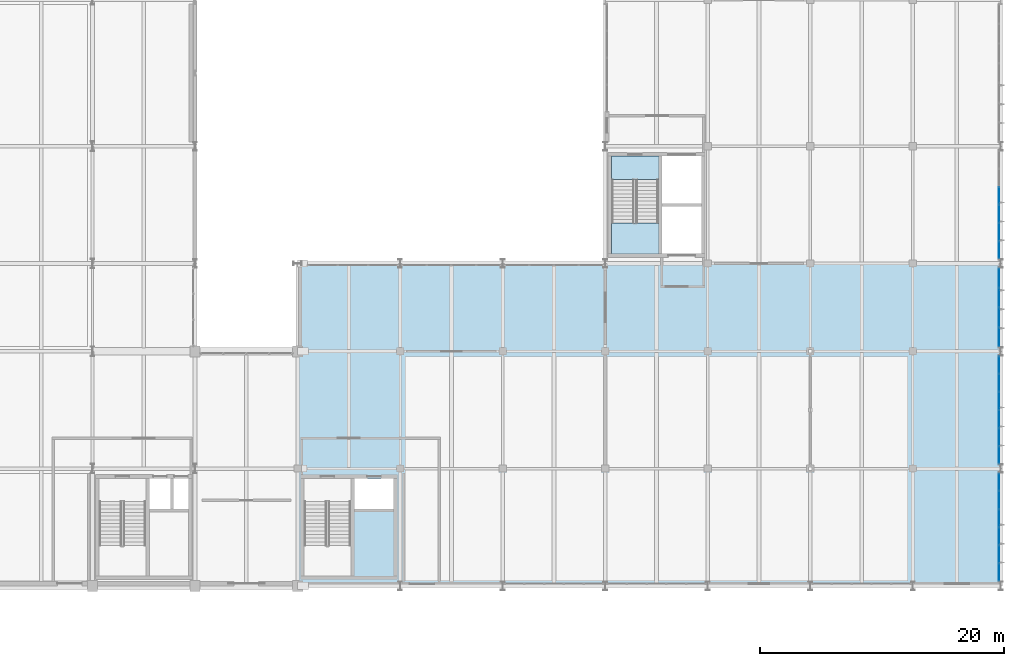
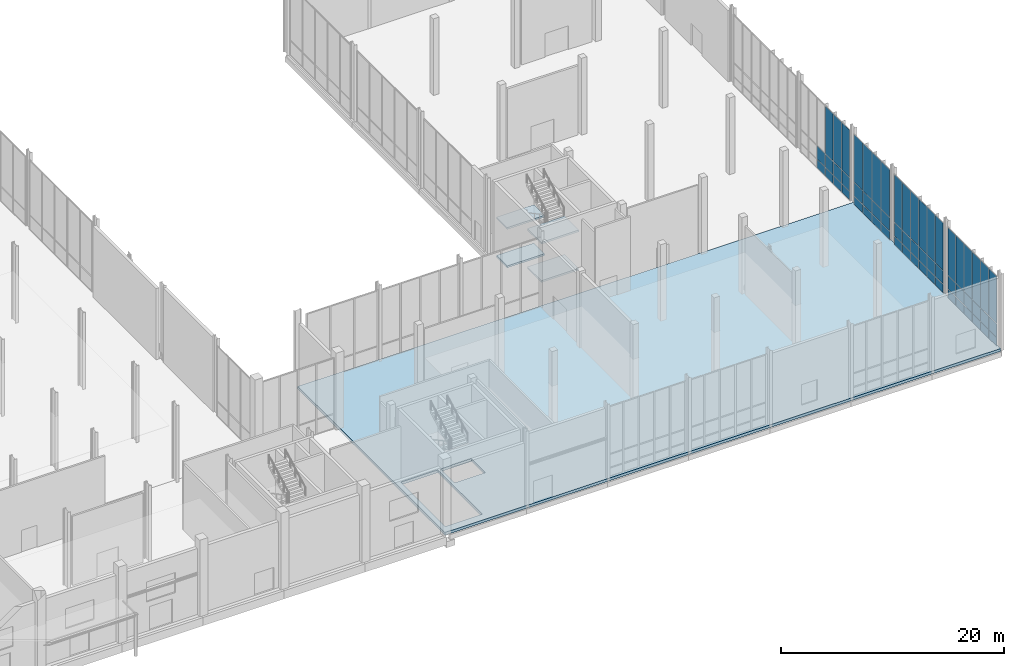
# One storey, part 107 of 131: 59 plates, 5 slabs, 5 elements without a shape of their own.
"""IFC4 building model written with IfcOpenShell, lengths in metres."""

from ifc_helpers import new_model, si_unit, direction, frame, origin, origin_2d, place, context, subcontext, project, spatial, polyline, rectangle, outline, extrude, material, layer, layer_set, type_object, element, aggregate, save


model = new_model("IFC4")

# Units and contexts
model_context = context("Model", 3, precision=1e-05, world=origin(), true_north=direction((0.0, 1.0)))
body_context = subcontext(model_context, "Body", "Model", "MODEL_VIEW")
ifc_project = project(units=[si_unit("LENGTHUNIT", "METRE"), si_unit("AREAUNIT", "SQUARE_METRE"), si_unit("VOLUMEUNIT", "CUBIC_METRE"), si_unit("PLANEANGLEUNIT", "RADIAN"), si_unit("MASSUNIT", "GRAM", prefix="KILO")], contexts=[model_context])

# Site, building, storey
site_placement = place(None, origin())
site = spatial("IfcSite", under=ifc_project, at=site_placement, CompositionType="ELEMENT")
building_placement = place(site_placement, origin())
building = spatial("IfcBuilding", under=site, at=building_placement, Name="Veltarok Museum of Natural Sciences", CompositionType="ELEMENT")
storey_placement = place(building_placement, origin())
storey = spatial("IfcBuildingStorey", under=building, at=storey_placement, Name="L00", CompositionType="ELEMENT", Elevation=0.0)

# Slabs
ifc_material_1 = material(Name="Concrete C35/45", Category="concrete")
ifc_layer_1 = layer(ifc_material_1, 0.300048828125)
ifc_layer_set_1 = layer_set([ifc_layer_1], Name="Concrete C35/45")
slab_type_1 = type_object("IfcSlabType", Name="Ground Level Heavy Composite Slab 300", PredefinedType="FLOOR", material=ifc_layer_set_1)
slab_1_placement = place(storey_placement, frame((0.0, 0.0, -0.300048828125)))
element("IfcSlab", 1, at=slab_1_placement, inside=storey, type_object=slab_type_1, Name="Floor Slab L00 V5S", PredefinedType="FLOOR", context=body_context, shape_type="SweptSolid", body=[
    extrude(outline(polyline([(107.22509765625, 0.0), (107.22509765625, 26.39990234375), (164.800048828125, 26.39990234375), (164.800048828125, 0.0), (107.22509765625, 0.0)]), holes=[polyline([(111.570068359375, 8.800048828125), (107.72998046875, 8.800048828125), (107.72998046875, 0.800048828125), (111.570068359375, 0.800048828125), (111.570068359375, 8.800048828125)]), polyline([(115.070068359375, 8.800048828125), (111.8701171875, 8.800048828125), (111.8701171875, 6.300048828125), (115.070068359375, 6.300048828125), (115.070068359375, 8.800048828125)])]), origin(), (0.0, 0.0, 1.0), 0.300048828125),
])
ifc_layer_2 = layer(ifc_material_1, 0.199951171875)
ifc_layer_set_2 = layer_set([ifc_layer_2], Name="Concrete C35/45")
slab_type_2 = type_object("IfcSlabType", Name="Protected Stair Intermediate Landing Slab 200", PredefinedType="LANDING", material=ifc_layer_set_2)
slab_2_placement = place(storey_placement, frame((0.0, 0.0, -0.199951171875)))
element("IfcSlab", 2, at=slab_2_placement, inside=storey, type_object=slab_type_2, Name="Stairwell Floor Landing ST-05 L00", PredefinedType="LANDING", context=body_context, shape_type="SweptSolid", body=[
    extrude(outline(polyline([(132.909912109375, 33.300048828125), (136.7900390625, 33.300048828125), (136.7900390625, 35.219970703125), (132.909912109375, 35.219970703125), (132.909912109375, 33.300048828125)])), origin(), (0.0, 0.0, 1.0), 0.199951171875),
])

# Stair, slabs
ifc_material_2 = material(Name="Precast concrete C40/50", Category="concrete")
stair_type = type_object("IfcStairType", Name="Protected Four-Flight Double-Height Escape Stair H8400", PredefinedType="HALF_TURN_STAIR", material=ifc_material_2)
stair_placement = place(storey_placement, origin())
stair = element("IfcStair", 3, at=stair_placement, inside=storey, type_object=stair_type, Name="Protected Escape Stair ST-05-L00", PredefinedType="HALF_TURN_STAIR")
slab_3_placement = place(storey_placement, frame((0.0, 0.0, 1.89990234375)))
slab_3 = element("IfcSlab", 4, at=slab_3_placement, type_object=slab_type_2, Name="ST-05-L00 landing 1", PredefinedType="LANDING", context=body_context, shape_type="SweptSolid", body=[
    extrude(outline(polyline([(132.909912109375, 27.179931640625), (136.7900390625, 27.179931640625), (136.7900390625, 29.699951171875), (132.909912109375, 29.699951171875), (132.909912109375, 27.179931640625)])), origin(), (0.0, 0.0, 1.0), 0.2001953125),
])
slab_4_placement = place(storey_placement, frame((0.0, 0.0, 4.0)))
slab_4 = element("IfcSlab", 5, at=slab_4_placement, type_object=slab_type_2, Name="ST-05-L00 landing 2", PredefinedType="LANDING", context=body_context, shape_type="SweptSolid", body=[
    extrude(outline(polyline([(132.909912109375, 33.300048828125), (136.7900390625, 33.300048828125), (136.7900390625, 35.219970703125), (132.909912109375, 35.219970703125), (132.909912109375, 33.300048828125)])), origin(), (0.0, 0.0, 1.0), 0.199951171875),
])
slab_5_placement = place(storey_placement, frame((0.0, 0.0, 6.10009765625)))
slab_5 = element("IfcSlab", 6, at=slab_5_placement, type_object=slab_type_2, Name="ST-05-L00 landing 3", PredefinedType="LANDING", context=body_context, shape_type="SweptSolid", body=[
    extrude(outline(polyline([(132.909912109375, 27.179931640625), (136.7900390625, 27.179931640625), (136.7900390625, 29.699951171875), (132.909912109375, 29.699951171875), (132.909912109375, 27.179931640625)])), origin(), (0.0, 0.0, 1.0), 0.199951171875),
])
aggregate(stair, [slab_3, slab_4, slab_5])

# Curtain wall, plates
ifc_material_3 = material(Name="Low-iron triple insulated glass", Category="glass")
curtain_wall_type_1 = type_object("IfcCurtainWallType", Name="Curtain Wall System CW-V5E-L00-A-890x778 (V5 East Lab L00 A-B 890x778cm)", PredefinedType="NOTDEFINED", material=ifc_material_3)
curtain_wall_1_placement = place(storey_placement, origin())
curtain_wall_1 = element("IfcCurtainWall", 7, at=curtain_wall_1_placement, inside=storey, type_object=curtain_wall_type_1, Name="Curtain Wall CW-V5E-L00-A-890x778 CW-0098", PredefinedType="NOTDEFINED")
ifc_layer_3 = layer(ifc_material_3, 0.028076171875)
ifc_layer_set_3 = layer_set([ifc_layer_3], Name="Low-iron triple insulated glass")
plate_type = type_object("IfcPlateType", Name="Triple Low-Iron Glazed Vision Panel 28", PredefinedType="CURTAIN_PANEL", material=ifc_layer_set_3)
plate_1_placement = place(storey_placement, frame((164.64990234375, 1.106689453125, 0.06005859375), z_axis=(0.0, 0.0, 1.0), x_axis=(0.0, 1.0, 0.0)))
plate_1 = element("IfcPlate", 8, at=plate_1_placement, type_object=plate_type, Name="CW-V5E-L00-A-890x778 panel 1.1", PredefinedType="CURTAIN_PANEL", context=body_context, shape_type="SweptSolid", body=[
    extrude(rectangle(XDim=1.393310546875, YDim=0.028076171875, at=origin_2d()), origin(), (0.0, 0.0, 1.0), 0.909912109375),
])
plate_2_placement = place(storey_placement, frame((164.64990234375, 1.106689453125, 1.030029296875), z_axis=(0.0, 0.0, 1.0), x_axis=(0.0, 1.0, 0.0)))
plate_2 = element("IfcPlate", 9, at=plate_2_placement, type_object=plate_type, Name="CW-V5E-L00-A-890x778 panel 1.2", PredefinedType="CURTAIN_PANEL", context=body_context, shape_type="SweptSolid", body=[
    extrude(rectangle(XDim=1.393310546875, YDim=0.028076171875, at=origin_2d()), origin(), (0.0, 0.0, 1.0), 1.43994140625),
])
plate_3_placement = place(storey_placement, frame((164.64990234375, 1.106689453125, 2.530029296875), z_axis=(0.0, 0.0, 1.0), x_axis=(0.0, 1.0, 0.0)))
plate_3 = element("IfcPlate", 10, at=plate_3_placement, type_object=plate_type, Name="CW-V5E-L00-A-890x778 panel 1.3", PredefinedType="CURTAIN_PANEL", context=body_context, shape_type="SweptSolid", body=[
    extrude(rectangle(XDim=1.393310546875, YDim=0.028076171875, at=origin_2d()), origin(), (0.0, 0.0, 1.0), 5.18994140625),
])
plate_4_placement = place(storey_placement, frame((164.64990234375, 2.574951171875, 0.06005859375), z_axis=(0.0, 0.0, 1.0), x_axis=(0.0, 1.0, 0.0)))
plate_4 = element("IfcPlate", 11, at=plate_4_placement, type_object=plate_type, Name="CW-V5E-L00-A-890x778 panel 2.1", PredefinedType="CURTAIN_PANEL", context=body_context, shape_type="SweptSolid", body=[
    extrude(rectangle(XDim=1.42333984375, YDim=0.028076171875, at=origin_2d()), origin(), (0.0, 0.0, 1.0), 0.909912109375),
])
plate_5_placement = place(storey_placement, frame((164.64990234375, 2.574951171875, 1.030029296875), z_axis=(0.0, 0.0, 1.0), x_axis=(0.0, 1.0, 0.0)))
plate_5 = element("IfcPlate", 12, at=plate_5_placement, type_object=plate_type, Name="CW-V5E-L00-A-890x778 panel 2.2", PredefinedType="CURTAIN_PANEL", context=body_context, shape_type="SweptSolid", body=[
    extrude(rectangle(XDim=1.42333984375, YDim=0.028076171875, at=origin_2d()), origin(), (0.0, 0.0, 1.0), 1.43994140625),
])
plate_6_placement = place(storey_placement, frame((164.64990234375, 2.574951171875, 2.530029296875), z_axis=(0.0, 0.0, 1.0), x_axis=(0.0, 1.0, 0.0)))
plate_6 = element("IfcPlate", 13, at=plate_6_placement, type_object=plate_type, Name="CW-V5E-L00-A-890x778 panel 2.3", PredefinedType="CURTAIN_PANEL", context=body_context, shape_type="SweptSolid", body=[
    extrude(rectangle(XDim=1.42333984375, YDim=0.028076171875, at=origin_2d()), origin(), (0.0, 0.0, 1.0), 5.18994140625),
])
plate_7_placement = place(storey_placement, frame((164.64990234375, 4.058349609375, 0.06005859375), z_axis=(0.0, 0.0, 1.0), x_axis=(0.0, 1.0, 0.0)))
plate_7 = element("IfcPlate", 14, at=plate_7_placement, type_object=plate_type, Name="CW-V5E-L00-A-890x778 panel 3.1", PredefinedType="CURTAIN_PANEL", context=body_context, shape_type="SweptSolid", body=[
    extrude(rectangle(XDim=1.42333984375, YDim=0.028076171875, at=origin_2d()), origin(), (0.0, 0.0, 1.0), 0.909912109375),
])
plate_8_placement = place(storey_placement, frame((164.64990234375, 4.058349609375, 1.030029296875), z_axis=(0.0, 0.0, 1.0), x_axis=(0.0, 1.0, 0.0)))
plate_8 = element("IfcPlate", 15, at=plate_8_placement, type_object=plate_type, Name="CW-V5E-L00-A-890x778 panel 3.2", PredefinedType="CURTAIN_PANEL", context=body_context, shape_type="SweptSolid", body=[
    extrude(rectangle(XDim=1.42333984375, YDim=0.028076171875, at=origin_2d()), origin(), (0.0, 0.0, 1.0), 1.43994140625),
])
plate_9_placement = place(storey_placement, frame((164.64990234375, 4.058349609375, 2.530029296875), z_axis=(0.0, 0.0, 1.0), x_axis=(0.0, 1.0, 0.0)))
plate_9 = element("IfcPlate", 16, at=plate_9_placement, type_object=plate_type, Name="CW-V5E-L00-A-890x778 panel 3.3", PredefinedType="CURTAIN_PANEL", context=body_context, shape_type="SweptSolid", body=[
    extrude(rectangle(XDim=1.42333984375, YDim=0.028076171875, at=origin_2d()), origin(), (0.0, 0.0, 1.0), 5.18994140625),
])
plate_10_placement = place(storey_placement, frame((164.64990234375, 5.541748046875, 0.06005859375), z_axis=(0.0, 0.0, 1.0), x_axis=(0.0, 1.0, 0.0)))
plate_10 = element("IfcPlate", 17, at=plate_10_placement, type_object=plate_type, Name="CW-V5E-L00-A-890x778 panel 4.1", PredefinedType="CURTAIN_PANEL", context=body_context, shape_type="SweptSolid", body=[
    extrude(rectangle(XDim=1.42333984375, YDim=0.028076171875, at=origin_2d()), origin(), (0.0, 0.0, 1.0), 0.909912109375),
])
plate_11_placement = place(storey_placement, frame((164.64990234375, 5.541748046875, 1.030029296875), z_axis=(0.0, 0.0, 1.0), x_axis=(0.0, 1.0, 0.0)))
plate_11 = element("IfcPlate", 18, at=plate_11_placement, type_object=plate_type, Name="CW-V5E-L00-A-890x778 panel 4.2", PredefinedType="CURTAIN_PANEL", context=body_context, shape_type="SweptSolid", body=[
    extrude(rectangle(XDim=1.42333984375, YDim=0.028076171875, at=origin_2d()), origin(), (0.0, 0.0, 1.0), 1.43994140625),
])
plate_12_placement = place(storey_placement, frame((164.64990234375, 5.541748046875, 2.530029296875), z_axis=(0.0, 0.0, 1.0), x_axis=(0.0, 1.0, 0.0)))
plate_12 = element("IfcPlate", 19, at=plate_12_placement, type_object=plate_type, Name="CW-V5E-L00-A-890x778 panel 4.3", PredefinedType="CURTAIN_PANEL", context=body_context, shape_type="SweptSolid", body=[
    extrude(rectangle(XDim=1.42333984375, YDim=0.028076171875, at=origin_2d()), origin(), (0.0, 0.0, 1.0), 5.18994140625),
])
plate_13_placement = place(storey_placement, frame((164.64990234375, 7.02490234375, 0.06005859375), z_axis=(0.0, 0.0, 1.0), x_axis=(0.0, 1.0, 0.0)))
plate_13 = element("IfcPlate", 20, at=plate_13_placement, type_object=plate_type, Name="CW-V5E-L00-A-890x778 panel 5.1", PredefinedType="CURTAIN_PANEL", context=body_context, shape_type="SweptSolid", body=[
    extrude(rectangle(XDim=1.42333984375, YDim=0.028076171875, at=origin_2d()), origin(), (0.0, 0.0, 1.0), 0.909912109375),
])
plate_14_placement = place(storey_placement, frame((164.64990234375, 7.02490234375, 1.030029296875), z_axis=(0.0, 0.0, 1.0), x_axis=(0.0, 1.0, 0.0)))
plate_14 = element("IfcPlate", 21, at=plate_14_placement, type_object=plate_type, Name="CW-V5E-L00-A-890x778 panel 5.2", PredefinedType="CURTAIN_PANEL", context=body_context, shape_type="SweptSolid", body=[
    extrude(rectangle(XDim=1.42333984375, YDim=0.028076171875, at=origin_2d()), origin(), (0.0, 0.0, 1.0), 1.43994140625),
])
plate_15_placement = place(storey_placement, frame((164.64990234375, 7.02490234375, 2.530029296875), z_axis=(0.0, 0.0, 1.0), x_axis=(0.0, 1.0, 0.0)))
plate_15 = element("IfcPlate", 22, at=plate_15_placement, type_object=plate_type, Name="CW-V5E-L00-A-890x778 panel 5.3", PredefinedType="CURTAIN_PANEL", context=body_context, shape_type="SweptSolid", body=[
    extrude(rectangle(XDim=1.42333984375, YDim=0.028076171875, at=origin_2d()), origin(), (0.0, 0.0, 1.0), 5.18994140625),
])
plate_16_placement = place(storey_placement, frame((164.64990234375, 8.493408203125, 0.06005859375), z_axis=(0.0, 0.0, 1.0), x_axis=(0.0, 1.0, 0.0)))
plate_16 = element("IfcPlate", 23, at=plate_16_placement, type_object=plate_type, Name="CW-V5E-L00-A-890x778 panel 6.1", PredefinedType="CURTAIN_PANEL", context=body_context, shape_type="SweptSolid", body=[
    extrude(rectangle(XDim=1.393310546875, YDim=0.028076171875, at=origin_2d()), origin(), (0.0, 0.0, 1.0), 0.909912109375),
])
plate_17_placement = place(storey_placement, frame((164.64990234375, 8.493408203125, 1.030029296875), z_axis=(0.0, 0.0, 1.0), x_axis=(0.0, 1.0, 0.0)))
plate_17 = element("IfcPlate", 24, at=plate_17_placement, type_object=plate_type, Name="CW-V5E-L00-A-890x778 panel 6.2", PredefinedType="CURTAIN_PANEL", context=body_context, shape_type="SweptSolid", body=[
    extrude(rectangle(XDim=1.393310546875, YDim=0.028076171875, at=origin_2d()), origin(), (0.0, 0.0, 1.0), 1.43994140625),
])
plate_18_placement = place(storey_placement, frame((164.64990234375, 8.493408203125, 2.530029296875), z_axis=(0.0, 0.0, 1.0), x_axis=(0.0, 1.0, 0.0)))
plate_18 = element("IfcPlate", 25, at=plate_18_placement, type_object=plate_type, Name="CW-V5E-L00-A-890x778 panel 6.3", PredefinedType="CURTAIN_PANEL", context=body_context, shape_type="SweptSolid", body=[
    extrude(rectangle(XDim=1.393310546875, YDim=0.028076171875, at=origin_2d()), origin(), (0.0, 0.0, 1.0), 5.18994140625),
])
aggregate(curtain_wall_1, [plate_1, plate_2, plate_3, plate_4, plate_5, plate_6, plate_7, plate_8, plate_9, plate_10, plate_11, plate_12, plate_13, plate_14, plate_15, plate_16, plate_17, plate_18])

curtain_wall_type_2 = type_object("IfcCurtainWallType", Name="Curtain Wall System CW-V5E-L00-B-890x778 (V5 East Lab L00 B-C 890x778cm)", PredefinedType="NOTDEFINED", material=ifc_material_3)
curtain_wall_2_placement = place(storey_placement, origin())
curtain_wall_2 = element("IfcCurtainWall", 26, at=curtain_wall_2_placement, inside=storey, type_object=curtain_wall_type_2, Name="Curtain Wall CW-V5E-L00-B-890x778 CW-0099", PredefinedType="NOTDEFINED")
plate_19_placement = place(storey_placement, frame((164.64990234375, 10.706787109375, 0.06005859375), z_axis=(0.0, 0.0, 1.0), x_axis=(0.0, 1.0, 0.0)))
plate_19 = element("IfcPlate", 27, at=plate_19_placement, type_object=plate_type, Name="CW-V5E-L00-B-890x778 panel 1.1", PredefinedType="CURTAIN_PANEL", context=body_context, shape_type="SweptSolid", body=[
    extrude(rectangle(XDim=1.393310546875, YDim=0.028076171875, at=origin_2d()), origin(), (0.0, 0.0, 1.0), 0.909912109375),
])
plate_20_placement = place(storey_placement, frame((164.64990234375, 10.706787109375, 1.030029296875), z_axis=(0.0, 0.0, 1.0), x_axis=(0.0, 1.0, 0.0)))
plate_20 = element("IfcPlate", 28, at=plate_20_placement, type_object=plate_type, Name="CW-V5E-L00-B-890x778 panel 1.2", PredefinedType="CURTAIN_PANEL", context=body_context, shape_type="SweptSolid", body=[
    extrude(rectangle(XDim=1.393310546875, YDim=0.028076171875, at=origin_2d()), origin(), (0.0, 0.0, 1.0), 1.43994140625),
])
plate_21_placement = place(storey_placement, frame((164.64990234375, 10.706787109375, 2.530029296875), z_axis=(0.0, 0.0, 1.0), x_axis=(0.0, 1.0, 0.0)))
plate_21 = element("IfcPlate", 29, at=plate_21_placement, type_object=plate_type, Name="CW-V5E-L00-B-890x778 panel 1.3", PredefinedType="CURTAIN_PANEL", context=body_context, shape_type="SweptSolid", body=[
    extrude(rectangle(XDim=1.393310546875, YDim=0.028076171875, at=origin_2d()), origin(), (0.0, 0.0, 1.0), 5.18994140625),
])
plate_22_placement = place(storey_placement, frame((164.64990234375, 12.175048828125, 0.06005859375), z_axis=(0.0, 0.0, 1.0), x_axis=(0.0, 1.0, 0.0)))
plate_22 = element("IfcPlate", 30, at=plate_22_placement, type_object=plate_type, Name="CW-V5E-L00-B-890x778 panel 2.1", PredefinedType="CURTAIN_PANEL", context=body_context, shape_type="SweptSolid", body=[
    extrude(rectangle(XDim=1.42333984375, YDim=0.028076171875, at=origin_2d()), origin(), (0.0, 0.0, 1.0), 0.909912109375),
])
plate_23_placement = place(storey_placement, frame((164.64990234375, 12.175048828125, 1.030029296875), z_axis=(0.0, 0.0, 1.0), x_axis=(0.0, 1.0, 0.0)))
plate_23 = element("IfcPlate", 31, at=plate_23_placement, type_object=plate_type, Name="CW-V5E-L00-B-890x778 panel 2.2", PredefinedType="CURTAIN_PANEL", context=body_context, shape_type="SweptSolid", body=[
    extrude(rectangle(XDim=1.42333984375, YDim=0.028076171875, at=origin_2d()), origin(), (0.0, 0.0, 1.0), 1.43994140625),
])
plate_24_placement = place(storey_placement, frame((164.64990234375, 12.175048828125, 2.530029296875), z_axis=(0.0, 0.0, 1.0), x_axis=(0.0, 1.0, 0.0)))
plate_24 = element("IfcPlate", 32, at=plate_24_placement, type_object=plate_type, Name="CW-V5E-L00-B-890x778 panel 2.3", PredefinedType="CURTAIN_PANEL", context=body_context, shape_type="SweptSolid", body=[
    extrude(rectangle(XDim=1.42333984375, YDim=0.028076171875, at=origin_2d()), origin(), (0.0, 0.0, 1.0), 5.18994140625),
])
plate_25_placement = place(storey_placement, frame((164.64990234375, 13.658447265625, 0.06005859375), z_axis=(0.0, 0.0, 1.0), x_axis=(0.0, 1.0, 0.0)))
plate_25 = element("IfcPlate", 33, at=plate_25_placement, type_object=plate_type, Name="CW-V5E-L00-B-890x778 panel 3.1", PredefinedType="CURTAIN_PANEL", context=body_context, shape_type="SweptSolid", body=[
    extrude(rectangle(XDim=1.42333984375, YDim=0.028076171875, at=origin_2d()), origin(), (0.0, 0.0, 1.0), 0.909912109375),
])
plate_26_placement = place(storey_placement, frame((164.64990234375, 13.658447265625, 1.030029296875), z_axis=(0.0, 0.0, 1.0), x_axis=(0.0, 1.0, 0.0)))
plate_26 = element("IfcPlate", 34, at=plate_26_placement, type_object=plate_type, Name="CW-V5E-L00-B-890x778 panel 3.2", PredefinedType="CURTAIN_PANEL", context=body_context, shape_type="SweptSolid", body=[
    extrude(rectangle(XDim=1.42333984375, YDim=0.028076171875, at=origin_2d()), origin(), (0.0, 0.0, 1.0), 1.43994140625),
])
plate_27_placement = place(storey_placement, frame((164.64990234375, 13.658447265625, 2.530029296875), z_axis=(0.0, 0.0, 1.0), x_axis=(0.0, 1.0, 0.0)))
plate_27 = element("IfcPlate", 35, at=plate_27_placement, type_object=plate_type, Name="CW-V5E-L00-B-890x778 panel 3.3", PredefinedType="CURTAIN_PANEL", context=body_context, shape_type="SweptSolid", body=[
    extrude(rectangle(XDim=1.42333984375, YDim=0.028076171875, at=origin_2d()), origin(), (0.0, 0.0, 1.0), 5.18994140625),
])
plate_28_placement = place(storey_placement, frame((164.64990234375, 15.1416015625, 0.06005859375), z_axis=(0.0, 0.0, 1.0), x_axis=(0.0, 1.0, 0.0)))
plate_28 = element("IfcPlate", 36, at=plate_28_placement, type_object=plate_type, Name="CW-V5E-L00-B-890x778 panel 4.1", PredefinedType="CURTAIN_PANEL", context=body_context, shape_type="SweptSolid", body=[
    extrude(rectangle(XDim=1.42333984375, YDim=0.028076171875, at=origin_2d()), origin(), (0.0, 0.0, 1.0), 0.909912109375),
])
plate_29_placement = place(storey_placement, frame((164.64990234375, 15.1416015625, 1.030029296875), z_axis=(0.0, 0.0, 1.0), x_axis=(0.0, 1.0, 0.0)))
plate_29 = element("IfcPlate", 37, at=plate_29_placement, type_object=plate_type, Name="CW-V5E-L00-B-890x778 panel 4.2", PredefinedType="CURTAIN_PANEL", context=body_context, shape_type="SweptSolid", body=[
    extrude(rectangle(XDim=1.42333984375, YDim=0.028076171875, at=origin_2d()), origin(), (0.0, 0.0, 1.0), 1.43994140625),
])
plate_30_placement = place(storey_placement, frame((164.64990234375, 15.1416015625, 2.530029296875), z_axis=(0.0, 0.0, 1.0), x_axis=(0.0, 1.0, 0.0)))
plate_30 = element("IfcPlate", 38, at=plate_30_placement, type_object=plate_type, Name="CW-V5E-L00-B-890x778 panel 4.3", PredefinedType="CURTAIN_PANEL", context=body_context, shape_type="SweptSolid", body=[
    extrude(rectangle(XDim=1.42333984375, YDim=0.028076171875, at=origin_2d()), origin(), (0.0, 0.0, 1.0), 5.18994140625),
])
plate_31_placement = place(storey_placement, frame((164.64990234375, 16.625, 0.06005859375), z_axis=(0.0, 0.0, 1.0), x_axis=(0.0, 1.0, 0.0)))
plate_31 = element("IfcPlate", 39, at=plate_31_placement, type_object=plate_type, Name="CW-V5E-L00-B-890x778 panel 5.1", PredefinedType="CURTAIN_PANEL", context=body_context, shape_type="SweptSolid", body=[
    extrude(rectangle(XDim=1.42333984375, YDim=0.028076171875, at=origin_2d()), origin(), (0.0, 0.0, 1.0), 0.909912109375),
])
plate_32_placement = place(storey_placement, frame((164.64990234375, 16.625, 1.030029296875), z_axis=(0.0, 0.0, 1.0), x_axis=(0.0, 1.0, 0.0)))
plate_32 = element("IfcPlate", 40, at=plate_32_placement, type_object=plate_type, Name="CW-V5E-L00-B-890x778 panel 5.2", PredefinedType="CURTAIN_PANEL", context=body_context, shape_type="SweptSolid", body=[
    extrude(rectangle(XDim=1.42333984375, YDim=0.028076171875, at=origin_2d()), origin(), (0.0, 0.0, 1.0), 1.43994140625),
])
plate_33_placement = place(storey_placement, frame((164.64990234375, 16.625, 2.530029296875), z_axis=(0.0, 0.0, 1.0), x_axis=(0.0, 1.0, 0.0)))
plate_33 = element("IfcPlate", 41, at=plate_33_placement, type_object=plate_type, Name="CW-V5E-L00-B-890x778 panel 5.3", PredefinedType="CURTAIN_PANEL", context=body_context, shape_type="SweptSolid", body=[
    extrude(rectangle(XDim=1.42333984375, YDim=0.028076171875, at=origin_2d()), origin(), (0.0, 0.0, 1.0), 5.18994140625),
])
plate_34_placement = place(storey_placement, frame((164.64990234375, 18.09326171875, 0.06005859375), z_axis=(0.0, 0.0, 1.0), x_axis=(0.0, 1.0, 0.0)))
plate_34 = element("IfcPlate", 42, at=plate_34_placement, type_object=plate_type, Name="CW-V5E-L00-B-890x778 panel 6.1", PredefinedType="CURTAIN_PANEL", context=body_context, shape_type="SweptSolid", body=[
    extrude(rectangle(XDim=1.393310546875, YDim=0.028076171875, at=origin_2d()), origin(), (0.0, 0.0, 1.0), 0.909912109375),
])
plate_35_placement = place(storey_placement, frame((164.64990234375, 18.09326171875, 1.030029296875), z_axis=(0.0, 0.0, 1.0), x_axis=(0.0, 1.0, 0.0)))
plate_35 = element("IfcPlate", 43, at=plate_35_placement, type_object=plate_type, Name="CW-V5E-L00-B-890x778 panel 6.2", PredefinedType="CURTAIN_PANEL", context=body_context, shape_type="SweptSolid", body=[
    extrude(rectangle(XDim=1.393310546875, YDim=0.028076171875, at=origin_2d()), origin(), (0.0, 0.0, 1.0), 1.43994140625),
])
plate_36_placement = place(storey_placement, frame((164.64990234375, 18.09326171875, 2.530029296875), z_axis=(0.0, 0.0, 1.0), x_axis=(0.0, 1.0, 0.0)))
plate_36 = element("IfcPlate", 44, at=plate_36_placement, type_object=plate_type, Name="CW-V5E-L00-B-890x778 panel 6.3", PredefinedType="CURTAIN_PANEL", context=body_context, shape_type="SweptSolid", body=[
    extrude(rectangle(XDim=1.393310546875, YDim=0.028076171875, at=origin_2d()), origin(), (0.0, 0.0, 1.0), 5.18994140625),
])
aggregate(curtain_wall_2, [plate_19, plate_20, plate_21, plate_22, plate_23, plate_24, plate_25, plate_26, plate_27, plate_28, plate_29, plate_30, plate_31, plate_32, plate_33, plate_34, plate_35, plate_36])

curtain_wall_type_3 = type_object("IfcCurtainWallType", Name="Curtain Wall System CW-V5E-L00-C-650x778 (V5 East Lab L00 C-D 650x778cm)", PredefinedType="NOTDEFINED", material=ifc_material_3)
curtain_wall_3_placement = place(storey_placement, origin())
curtain_wall_3 = element("IfcCurtainWall", 45, at=curtain_wall_3_placement, inside=storey, type_object=curtain_wall_type_3, Name="Curtain Wall CW-V5E-L00-C-650x778 CW-0100", PredefinedType="NOTDEFINED")
plate_37_placement = place(storey_placement, frame((164.64990234375, 20.37744140625, 0.06005859375), z_axis=(0.0, 0.0, 1.0), x_axis=(0.0, 1.0, 0.0)))
plate_37 = element("IfcPlate", 46, at=plate_37_placement, type_object=plate_type, Name="CW-V5E-L00-C-650x778 panel 1.1", PredefinedType="CURTAIN_PANEL", context=body_context, shape_type="SweptSolid", body=[
    extrude(rectangle(XDim=1.534912109375, YDim=0.028076171875, at=origin_2d()), origin(), (0.0, 0.0, 1.0), 0.909912109375),
])
plate_38_placement = place(storey_placement, frame((164.64990234375, 20.37744140625, 1.030029296875), z_axis=(0.0, 0.0, 1.0), x_axis=(0.0, 1.0, 0.0)))
plate_38 = element("IfcPlate", 47, at=plate_38_placement, type_object=plate_type, Name="CW-V5E-L00-C-650x778 panel 1.2", PredefinedType="CURTAIN_PANEL", context=body_context, shape_type="SweptSolid", body=[
    extrude(rectangle(XDim=1.534912109375, YDim=0.028076171875, at=origin_2d()), origin(), (0.0, 0.0, 1.0), 1.43994140625),
])
plate_39_placement = place(storey_placement, frame((164.64990234375, 20.37744140625, 2.530029296875), z_axis=(0.0, 0.0, 1.0), x_axis=(0.0, 1.0, 0.0)))
plate_39 = element("IfcPlate", 48, at=plate_39_placement, type_object=plate_type, Name="CW-V5E-L00-C-650x778 panel 1.3", PredefinedType="CURTAIN_PANEL", context=body_context, shape_type="SweptSolid", body=[
    extrude(rectangle(XDim=1.534912109375, YDim=0.028076171875, at=origin_2d()), origin(), (0.0, 0.0, 1.0), 5.18994140625),
])
plate_40_placement = place(storey_placement, frame((164.64990234375, 21.987548828125, 0.06005859375), z_axis=(0.0, 0.0, 1.0), x_axis=(0.0, 1.0, 0.0)))
plate_40 = element("IfcPlate", 49, at=plate_40_placement, type_object=plate_type, Name="CW-V5E-L00-C-650x778 panel 2.1", PredefinedType="CURTAIN_PANEL", context=body_context, shape_type="SweptSolid", body=[
    extrude(rectangle(XDim=1.56494140625, YDim=0.028076171875, at=origin_2d()), origin(), (0.0, 0.0, 1.0), 0.909912109375),
])
plate_41_placement = place(storey_placement, frame((164.64990234375, 21.987548828125, 1.030029296875), z_axis=(0.0, 0.0, 1.0), x_axis=(0.0, 1.0, 0.0)))
plate_41 = element("IfcPlate", 50, at=plate_41_placement, type_object=plate_type, Name="CW-V5E-L00-C-650x778 panel 2.2", PredefinedType="CURTAIN_PANEL", context=body_context, shape_type="SweptSolid", body=[
    extrude(rectangle(XDim=1.56494140625, YDim=0.028076171875, at=origin_2d()), origin(), (0.0, 0.0, 1.0), 1.43994140625),
])
plate_42_placement = place(storey_placement, frame((164.64990234375, 21.987548828125, 2.530029296875), z_axis=(0.0, 0.0, 1.0), x_axis=(0.0, 1.0, 0.0)))
plate_42 = element("IfcPlate", 51, at=plate_42_placement, type_object=plate_type, Name="CW-V5E-L00-C-650x778 panel 2.3", PredefinedType="CURTAIN_PANEL", context=body_context, shape_type="SweptSolid", body=[
    extrude(rectangle(XDim=1.56494140625, YDim=0.028076171875, at=origin_2d()), origin(), (0.0, 0.0, 1.0), 5.18994140625),
])
plate_43_placement = place(storey_placement, frame((164.64990234375, 23.612548828125, 0.06005859375), z_axis=(0.0, 0.0, 1.0), x_axis=(0.0, 1.0, 0.0)))
plate_43 = element("IfcPlate", 52, at=plate_43_placement, type_object=plate_type, Name="CW-V5E-L00-C-650x778 panel 3.1", PredefinedType="CURTAIN_PANEL", context=body_context, shape_type="SweptSolid", body=[
    extrude(rectangle(XDim=1.56494140625, YDim=0.028076171875, at=origin_2d()), origin(), (0.0, 0.0, 1.0), 0.909912109375),
])
plate_44_placement = place(storey_placement, frame((164.64990234375, 23.612548828125, 1.030029296875), z_axis=(0.0, 0.0, 1.0), x_axis=(0.0, 1.0, 0.0)))
plate_44 = element("IfcPlate", 53, at=plate_44_placement, type_object=plate_type, Name="CW-V5E-L00-C-650x778 panel 3.2", PredefinedType="CURTAIN_PANEL", context=body_context, shape_type="SweptSolid", body=[
    extrude(rectangle(XDim=1.56494140625, YDim=0.028076171875, at=origin_2d()), origin(), (0.0, 0.0, 1.0), 1.43994140625),
])
plate_45_placement = place(storey_placement, frame((164.64990234375, 23.612548828125, 2.530029296875), z_axis=(0.0, 0.0, 1.0), x_axis=(0.0, 1.0, 0.0)))
plate_45 = element("IfcPlate", 54, at=plate_45_placement, type_object=plate_type, Name="CW-V5E-L00-C-650x778 panel 3.3", PredefinedType="CURTAIN_PANEL", context=body_context, shape_type="SweptSolid", body=[
    extrude(rectangle(XDim=1.56494140625, YDim=0.028076171875, at=origin_2d()), origin(), (0.0, 0.0, 1.0), 5.18994140625),
])
plate_46_placement = place(storey_placement, frame((164.64990234375, 25.222412109375, 0.06005859375), z_axis=(0.0, 0.0, 1.0), x_axis=(0.0, 1.0, 0.0)))
plate_46 = element("IfcPlate", 55, at=plate_46_placement, type_object=plate_type, Name="CW-V5E-L00-C-650x778 panel 4.1", PredefinedType="CURTAIN_PANEL", context=body_context, shape_type="SweptSolid", body=[
    extrude(rectangle(XDim=1.534912109375, YDim=0.028076171875, at=origin_2d()), origin(), (0.0, 0.0, 1.0), 0.909912109375),
])
plate_47_placement = place(storey_placement, frame((164.64990234375, 25.222412109375, 1.030029296875), z_axis=(0.0, 0.0, 1.0), x_axis=(0.0, 1.0, 0.0)))
plate_47 = element("IfcPlate", 56, at=plate_47_placement, type_object=plate_type, Name="CW-V5E-L00-C-650x778 panel 4.2", PredefinedType="CURTAIN_PANEL", context=body_context, shape_type="SweptSolid", body=[
    extrude(rectangle(XDim=1.534912109375, YDim=0.028076171875, at=origin_2d()), origin(), (0.0, 0.0, 1.0), 1.43994140625),
])
plate_48_placement = place(storey_placement, frame((164.64990234375, 25.222412109375, 2.530029296875), z_axis=(0.0, 0.0, 1.0), x_axis=(0.0, 1.0, 0.0)))
plate_48 = element("IfcPlate", 57, at=plate_48_placement, type_object=plate_type, Name="CW-V5E-L00-C-650x778 panel 4.3", PredefinedType="CURTAIN_PANEL", context=body_context, shape_type="SweptSolid", body=[
    extrude(rectangle(XDim=1.534912109375, YDim=0.028076171875, at=origin_2d()), origin(), (0.0, 0.0, 1.0), 5.18994140625),
])
aggregate(curtain_wall_3, [plate_37, plate_38, plate_39, plate_40, plate_41, plate_42, plate_43, plate_44, plate_45, plate_46, plate_47, plate_48])

curtain_wall_type_4 = type_object("IfcCurtainWallType", Name="Curtain Wall System CW-V5E-L00-D-890x778 (V5 East Lab L00 D-E 890x778cm)", PredefinedType="NOTDEFINED", material=ifc_material_3)
curtain_wall_4_placement = place(storey_placement, origin())
curtain_wall_4 = element("IfcCurtainWall", 58, at=curtain_wall_4_placement, inside=storey, type_object=curtain_wall_type_4, Name="Curtain Wall CW-V5E-L00-D-890x778 CW-0101", PredefinedType="NOTDEFINED")
plate_49_placement = place(storey_placement, frame((164.64990234375, 27.506591796875, 0.06005859375), z_axis=(0.0, 0.0, 1.0), x_axis=(0.0, 1.0, 0.0)))
plate_49 = element("IfcPlate", 59, at=plate_49_placement, type_object=plate_type, Name="CW-V5E-L00-D-890x778 panel 1.1", PredefinedType="CURTAIN_PANEL", context=body_context, shape_type="SweptSolid", body=[
    extrude(rectangle(XDim=1.393310546875, YDim=0.028076171875, at=origin_2d()), origin(), (0.0, 0.0, 1.0), 0.909912109375),
])
plate_50_placement = place(storey_placement, frame((164.64990234375, 27.506591796875, 1.030029296875), z_axis=(0.0, 0.0, 1.0), x_axis=(0.0, 1.0, 0.0)))
plate_50 = element("IfcPlate", 60, at=plate_50_placement, type_object=plate_type, Name="CW-V5E-L00-D-890x778 panel 1.2", PredefinedType="CURTAIN_PANEL", context=body_context, shape_type="SweptSolid", body=[
    extrude(rectangle(XDim=1.393310546875, YDim=0.028076171875, at=origin_2d()), origin(), (0.0, 0.0, 1.0), 1.43994140625),
])
plate_51_placement = place(storey_placement, frame((164.64990234375, 27.506591796875, 2.530029296875), z_axis=(0.0, 0.0, 1.0), x_axis=(0.0, 1.0, 0.0)))
plate_51 = element("IfcPlate", 61, at=plate_51_placement, type_object=plate_type, Name="CW-V5E-L00-D-890x778 panel 1.3", PredefinedType="CURTAIN_PANEL", context=body_context, shape_type="SweptSolid", body=[
    extrude(rectangle(XDim=1.393310546875, YDim=0.028076171875, at=origin_2d()), origin(), (0.0, 0.0, 1.0), 5.18994140625),
])
plate_52_placement = place(storey_placement, frame((164.64990234375, 28.97509765625, 0.06005859375), z_axis=(0.0, 0.0, 1.0), x_axis=(0.0, 1.0, 0.0)))
plate_52 = element("IfcPlate", 62, at=plate_52_placement, type_object=plate_type, Name="CW-V5E-L00-D-890x778 panel 2.1", PredefinedType="CURTAIN_PANEL", context=body_context, shape_type="SweptSolid", body=[
    extrude(rectangle(XDim=1.42333984375, YDim=0.028076171875, at=origin_2d()), origin(), (0.0, 0.0, 1.0), 0.909912109375),
])
plate_53_placement = place(storey_placement, frame((164.64990234375, 28.97509765625, 1.030029296875), z_axis=(0.0, 0.0, 1.0), x_axis=(0.0, 1.0, 0.0)))
plate_53 = element("IfcPlate", 63, at=plate_53_placement, type_object=plate_type, Name="CW-V5E-L00-D-890x778 panel 2.2", PredefinedType="CURTAIN_PANEL", context=body_context, shape_type="SweptSolid", body=[
    extrude(rectangle(XDim=1.42333984375, YDim=0.028076171875, at=origin_2d()), origin(), (0.0, 0.0, 1.0), 1.43994140625),
])
plate_54_placement = place(storey_placement, frame((164.64990234375, 28.97509765625, 2.530029296875), z_axis=(0.0, 0.0, 1.0), x_axis=(0.0, 1.0, 0.0)))
plate_54 = element("IfcPlate", 64, at=plate_54_placement, type_object=plate_type, Name="CW-V5E-L00-D-890x778 panel 2.3", PredefinedType="CURTAIN_PANEL", context=body_context, shape_type="SweptSolid", body=[
    extrude(rectangle(XDim=1.42333984375, YDim=0.028076171875, at=origin_2d()), origin(), (0.0, 0.0, 1.0), 5.18994140625),
])
plate_55_placement = place(storey_placement, frame((164.64990234375, 30.458251953125, 0.06005859375), z_axis=(0.0, 0.0, 1.0), x_axis=(0.0, 1.0, 0.0)))
plate_55 = element("IfcPlate", 65, at=plate_55_placement, type_object=plate_type, Name="CW-V5E-L00-D-890x778 panel 3.1", PredefinedType="CURTAIN_PANEL", context=body_context, shape_type="SweptSolid", body=[
    extrude(rectangle(XDim=1.42333984375, YDim=0.028076171875, at=origin_2d()), origin(), (0.0, 0.0, 1.0), 0.909912109375),
])
plate_56_placement = place(storey_placement, frame((164.64990234375, 30.458251953125, 1.030029296875), z_axis=(0.0, 0.0, 1.0), x_axis=(0.0, 1.0, 0.0)))
plate_56 = element("IfcPlate", 66, at=plate_56_placement, type_object=plate_type, Name="CW-V5E-L00-D-890x778 panel 3.2", PredefinedType="CURTAIN_PANEL", context=body_context, shape_type="SweptSolid", body=[
    extrude(rectangle(XDim=1.42333984375, YDim=0.028076171875, at=origin_2d()), origin(), (0.0, 0.0, 1.0), 1.43994140625),
])
plate_57_placement = place(storey_placement, frame((164.64990234375, 30.458251953125, 2.530029296875), z_axis=(0.0, 0.0, 1.0), x_axis=(0.0, 1.0, 0.0)))
plate_57 = element("IfcPlate", 67, at=plate_57_placement, type_object=plate_type, Name="CW-V5E-L00-D-890x778 panel 3.3", PredefinedType="CURTAIN_PANEL", context=body_context, shape_type="SweptSolid", body=[
    extrude(rectangle(XDim=1.42333984375, YDim=0.028076171875, at=origin_2d()), origin(), (0.0, 0.0, 1.0), 5.18994140625),
])
plate_58_placement = place(storey_placement, frame((164.64990234375, 31.941650390625, 0.06005859375), z_axis=(0.0, 0.0, 1.0), x_axis=(0.0, 1.0, 0.0)))
plate_58 = element("IfcPlate", 68, at=plate_58_placement, type_object=plate_type, Name="CW-V5E-L00-D-890x778 panel 4.1", PredefinedType="CURTAIN_PANEL", context=body_context, shape_type="SweptSolid", body=[
    extrude(rectangle(XDim=1.42333984375, YDim=0.028076171875, at=origin_2d()), origin(), (0.0, 0.0, 1.0), 0.909912109375),
])
plate_59_placement = place(storey_placement, frame((164.64990234375, 31.941650390625, 1.030029296875), z_axis=(0.0, 0.0, 1.0), x_axis=(0.0, 1.0, 0.0)))
plate_59 = element("IfcPlate", 69, at=plate_59_placement, type_object=plate_type, Name="CW-V5E-L00-D-890x778 panel 4.2", PredefinedType="CURTAIN_PANEL", context=body_context, shape_type="SweptSolid", body=[
    extrude(rectangle(XDim=1.42333984375, YDim=0.028076171875, at=origin_2d()), origin(), (0.0, 0.0, 1.0), 1.43994140625),
])
aggregate(curtain_wall_4, [plate_49, plate_50, plate_51, plate_52, plate_53, plate_54, plate_55, plate_56, plate_57, plate_58, plate_59])

save(model, "model.ifc")
